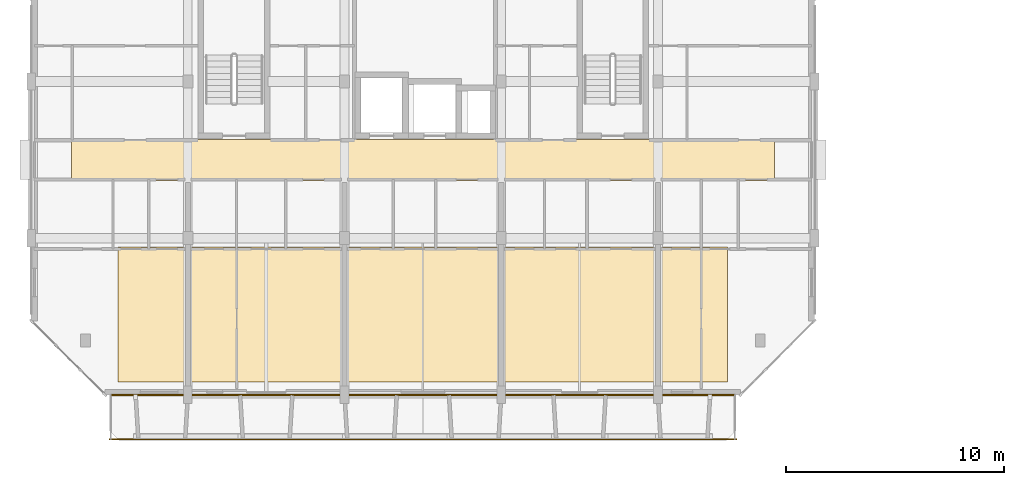
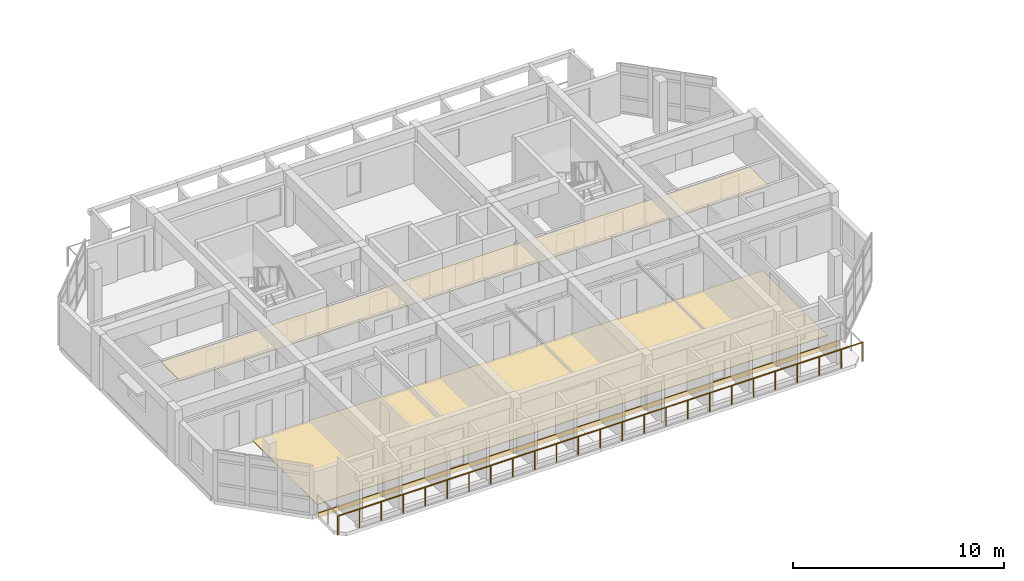
# One storey, part 35 of 44: 3 coverings, 1 railing.
"""IFC4 building model written with IfcOpenShell, lengths in metres."""

from ifc_helpers import new_model, si_unit, direction, frame, origin, origin_2d, place, context, subcontext, project, spatial, polyline, rectangle, circle, outline, extrude, material, layer, layer_set, type_object, element, save


model = new_model("IFC4")

# Units and contexts
model_context = context("Model", 3, precision=1e-05, world=origin(), true_north=direction((0.0, 1.0)))
body_context = subcontext(model_context, "Body", "Model", "MODEL_VIEW")
ifc_project = project(units=[si_unit("LENGTHUNIT", "METRE"), si_unit("AREAUNIT", "SQUARE_METRE"), si_unit("VOLUMEUNIT", "CUBIC_METRE"), si_unit("PLANEANGLEUNIT", "RADIAN"), si_unit("MASSUNIT", "GRAM", prefix="KILO")], contexts=[model_context])

# Site, building, storey
site_placement = place(None, origin())
site = spatial("IfcSite", under=ifc_project, at=site_placement, CompositionType="ELEMENT")
building_placement = place(site_placement, origin())
building = spatial("IfcBuilding", under=site, at=building_placement, Name="Ochrevale Crest", CompositionType="ELEMENT")
storey_placement = place(building_placement, frame((0.0, 0.0, 21.300048828125)))
storey = spatial("IfcBuildingStorey", under=building, at=storey_placement, Name="L06", CompositionType="ELEMENT", Elevation=21.300048828125)

# Coverings
ifc_material_1 = material(Name="Gypsum plasterboard", Category="gypsum")
ifc_layer_1 = layer(ifc_material_1, 0.02490234375)
ifc_layer_set_1 = layer_set([ifc_layer_1], Name="Gypsum plasterboard")
covering_type_1 = type_object("IfcCoveringType", Name="COV-CEIL-GYP", PredefinedType="CEILING", material=ifc_layer_set_1)
covering_1_placement = place(storey_placement, frame((0.0, 0.0, 2.280029296875)))
element("IfcCovering", 1, at=covering_1_placement, inside=storey, type_object=covering_type_1, Name="Block A L06 acoustic corridor ceiling", PredefinedType="CEILING", context=body_context, shape_type="SweptSolid", body=[
    extrude(outline(polyline([(1.85009765625, 24.260009765625), (34.14990234375, 24.260009765625), (34.14990234375, 26.139892578125), (1.85009765625, 26.139892578125), (1.85009765625, 24.260009765625)])), origin(), (0.0, 0.0, 1.0), 0.02490234375),
])
ifc_material_2 = material(Name="Glazed terracotta rainscreen tile", Category="masonry")
ifc_layer_2 = layer(ifc_material_2, 0.048095703125)
ifc_layer_set_2 = layer_set([ifc_layer_2], Name="Glazed terracotta rainscreen tile")
covering_type_2 = type_object("IfcCoveringType", Name="COV-CLAD-TER", PredefinedType="CLADDING", material=ifc_layer_set_2)
covering_2_placement = place(storey_placement, frame((18.0, 14.387451171875, -0.26025390625), z_axis=(0.0, 0.0, 1.0), x_axis=(1.0, 0.0, 0.0)))
element("IfcCovering", 2, at=covering_2_placement, inside=storey, type_object=covering_type_2, Name="Block A L06 terracotta slab-edge spandrel cladding", PredefinedType="CLADDING", context=body_context, shape_type="SweptSolid", body=[
    extrude(rectangle(XDim=28.60009765625, YDim=0.06005859375, at=origin_2d()), origin(), (0.0, 0.0, 1.0), 0.280029296875),
])
ifc_material_3 = material(Name="Engineered spotted-gum hardwood flooring", Category="wood")
ifc_layer_3 = layer(ifc_material_3, 0.02001953125)
ifc_layer_set_3 = layer_set([ifc_layer_3], Name="Engineered spotted-gum hardwood flooring")
covering_type_3 = type_object("IfcCoveringType", Name="COV-FLR-TIM", PredefinedType="FLOORING", material=ifc_layer_set_3)
covering_3_placement = place(storey_placement, origin())
element("IfcCovering", 3, at=covering_3_placement, inside=storey, type_object=covering_type_3, Name="Block A L06 spotted-gum apartment flooring", PredefinedType="FLOORING", context=body_context, shape_type="SweptSolid", body=[
    extrude(outline(polyline([(4.0, 15.0), (32.0, 15.0), (32.0, 21.199951171875), (4.0, 21.199951171875), (4.0, 15.0)])), origin(), (0.0, 0.0, 1.0), 0.02001953125),
])

# Railing
ifc_material_4 = material(Name="Galvanised steel", Category="steel")
railing_type = type_object("IfcRailingType", Name="RL-BAL-1100", PredefinedType="BALUSTRADE", material=ifc_material_4)
railing_placement = place(storey_placement, frame((3.60009765625, 12.360107421875, 0.0)))
element("IfcRailing", 4, at=railing_placement, inside=storey, type_object=railing_type, Name="Block A L06 S balcony front balustrade", PredefinedType="BALUSTRADE", context=body_context, shape_type="SweptSolid", body=[
    extrude(circle(Radius=0.02392578125, at=origin_2d()), frame((0.0, 0.0, 1.0859375), z_axis=(1.0, 0.0, 0.0), x_axis=(0.0, 1.0, 0.0)), (0.0, 0.0, 1.0), 28.7998046875),
    extrude(circle(Radius=0.02099609375, at=origin_2d()), origin(), (0.0, 0.0, 1.0), 1.06201171875),
    extrude(circle(Radius=0.02099609375, at=origin_2d()), frame((1.199951171875, 0.0, 0.0)), (0.0, 0.0, 1.0), 1.06201171875),
    extrude(circle(Radius=0.02099609375, at=origin_2d()), frame((2.39990234375, 0.0, 0.0)), (0.0, 0.0, 1.0), 1.06201171875),
    extrude(circle(Radius=0.02099609375, at=origin_2d()), frame((3.60009765625, 0.0, 0.0)), (0.0, 0.0, 1.0), 1.06201171875),
    extrude(circle(Radius=0.02099609375, at=origin_2d()), frame((4.800048828125, 0.0, 0.0)), (0.0, 0.0, 1.0), 1.06201171875),
    extrude(circle(Radius=0.02099609375, at=origin_2d()), frame((6.0, 0.0, 0.0)), (0.0, 0.0, 1.0), 1.06201171875),
    extrude(circle(Radius=0.02099609375, at=origin_2d()), frame((7.199951171875, 0.0, 0.0)), (0.0, 0.0, 1.0), 1.06201171875),
    extrude(circle(Radius=0.02099609375, at=origin_2d()), frame((8.39990234375, 0.0, 0.0)), (0.0, 0.0, 1.0), 1.06201171875),
    extrude(circle(Radius=0.02099609375, at=origin_2d()), frame((9.599853515625, 0.0, 0.0)), (0.0, 0.0, 1.0), 1.06201171875),
    extrude(circle(Radius=0.02099609375, at=origin_2d()), frame((10.7998046875, 0.0, 0.0)), (0.0, 0.0, 1.0), 1.06201171875),
    extrude(circle(Radius=0.02099609375, at=origin_2d()), frame((12.0, 0.0, 0.0)), (0.0, 0.0, 1.0), 1.06201171875),
    extrude(circle(Radius=0.02099609375, at=origin_2d()), frame((13.199951171875, 0.0, 0.0)), (0.0, 0.0, 1.0), 1.06201171875),
    extrude(circle(Radius=0.02099609375, at=origin_2d()), frame((14.39990234375, 0.0, 0.0)), (0.0, 0.0, 1.0), 1.06201171875),
    extrude(circle(Radius=0.02099609375, at=origin_2d()), frame((15.599853515625, 0.0, 0.0)), (0.0, 0.0, 1.0), 1.06201171875),
    extrude(circle(Radius=0.02099609375, at=origin_2d()), frame((16.7998046875, 0.0, 0.0)), (0.0, 0.0, 1.0), 1.06201171875),
    extrude(circle(Radius=0.02099609375, at=origin_2d()), frame((18.0, 0.0, 0.0)), (0.0, 0.0, 1.0), 1.06201171875),
    extrude(circle(Radius=0.02099609375, at=origin_2d()), frame((19.199951171875, 0.0, 0.0)), (0.0, 0.0, 1.0), 1.06201171875),
    extrude(circle(Radius=0.02099609375, at=origin_2d()), frame((20.39990234375, 0.0, 0.0)), (0.0, 0.0, 1.0), 1.06201171875),
    extrude(circle(Radius=0.02099609375, at=origin_2d()), frame((21.599853515625, 0.0, 0.0)), (0.0, 0.0, 1.0), 1.06201171875),
    extrude(circle(Radius=0.02099609375, at=origin_2d()), frame((22.7998046875, 0.0, 0.0)), (0.0, 0.0, 1.0), 1.06201171875),
    extrude(circle(Radius=0.02099609375, at=origin_2d()), frame((23.999755859375, 0.0, 0.0)), (0.0, 0.0, 1.0), 1.06201171875),
    extrude(circle(Radius=0.02099609375, at=origin_2d()), frame((25.19970703125, 0.0, 0.0)), (0.0, 0.0, 1.0), 1.06201171875),
    extrude(circle(Radius=0.02099609375, at=origin_2d()), frame((26.39990234375, 0.0, 0.0)), (0.0, 0.0, 1.0), 1.06201171875),
    extrude(circle(Radius=0.02099609375, at=origin_2d()), frame((27.599853515625, 0.0, 0.0)), (0.0, 0.0, 1.0), 1.06201171875),
    extrude(circle(Radius=0.02099609375, at=origin_2d()), frame((28.7998046875, 0.0, 0.0)), (0.0, 0.0, 1.0), 1.06201171875),
])

save(model, "model.ifc")
